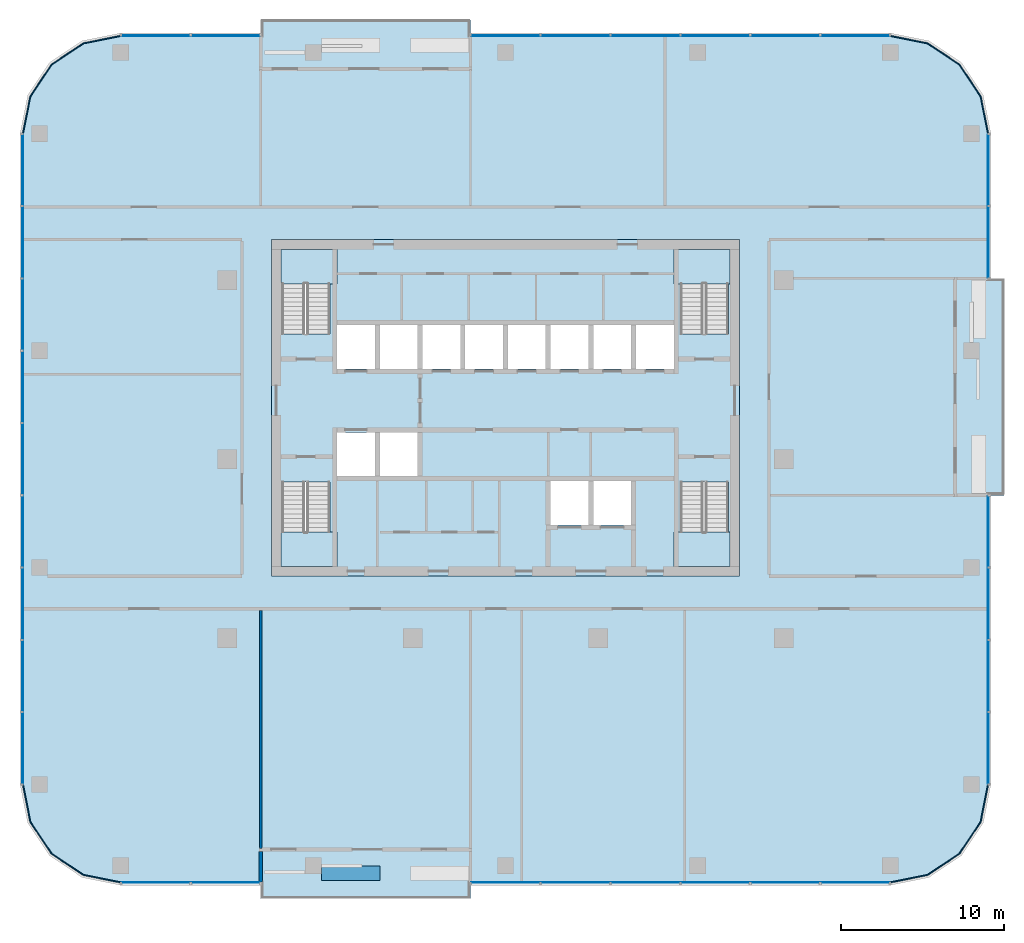
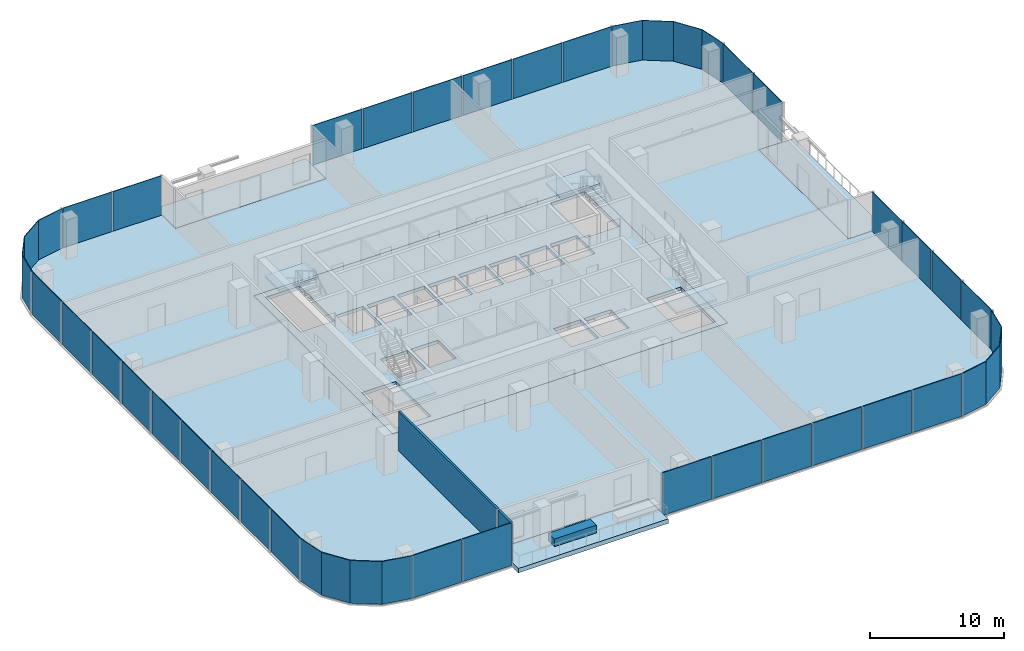
# One storey, part 6 of 13: 35 plates, 9 slabs, 3 walls, 15 elements without a shape of their own.
"""IFC4 building model written with IfcOpenShell, lengths in metres."""

from ifc_helpers import new_model, si_unit, direction, frame, frame_2d, origin, origin_2d, place, context, subcontext, project, spatial, polyline, rectangle, outline, extrude, material, layer, layer_set, type_object, element, aggregate, save


model = new_model("IFC4")

# Units and contexts
model_context = context("Model", 3, precision=1e-05, world=origin(), true_north=direction((0.0, 1.0)))
body_context = subcontext(model_context, "Body", "Model", "MODEL_VIEW")
ifc_project = project(units=[si_unit("LENGTHUNIT", "METRE"), si_unit("AREAUNIT", "SQUARE_METRE"), si_unit("VOLUMEUNIT", "CUBIC_METRE"), si_unit("PLANEANGLEUNIT", "RADIAN"), si_unit("MASSUNIT", "GRAM", prefix="KILO")], contexts=[model_context])

# Site, building, storey
site_placement = place(None, origin())
site = spatial("IfcSite", under=ifc_project, at=site_placement, CompositionType="ELEMENT")
building_placement = place(site_placement, origin())
building = spatial("IfcBuilding", under=site, at=building_placement, Name="Mopane Tessera Tower", CompositionType="ELEMENT")
storey_placement = place(building_placement, frame((0.0, 0.0, 299.39990234375)))
storey = spatial("IfcBuildingStorey", under=building, at=storey_placement, Name="L65", CompositionType="ELEMENT", Elevation=299.39990234375)

# Slab
ifc_material_1 = material(Name="Concrete C40/50", Category="concrete")
ifc_layer_1 = layer(ifc_material_1, 0.300048828125)
ifc_layer_set_1 = layer_set([ifc_layer_1], Name="Concrete C40/50")
slab_type_1 = type_object("IfcSlabType", Name="Core floor slab 300 mm", PredefinedType="FLOOR", material=ifc_layer_set_1)
slab_1_placement = place(storey_placement, frame((0.0, 0.0, -0.2998046875)))
element("IfcSlab", 1, at=slab_1_placement, inside=storey, type_object=slab_type_1, Name="L65 core floor slab", PredefinedType="FLOOR", context=body_context, shape_type="SweptSolid", body=[
    extrude(outline(polyline([(-14.39990234375, -7.199951171875), (14.39990234375, -7.199951171875), (14.39990234375, 13.5), (-14.39990234375, 13.5), (-14.39990234375, -7.199951171875)]), holes=[polyline([(-10.35009765625, -1.050048828125), (-8.02490234375, -1.050048828125), (-8.02490234375, 1.64990234375), (-10.35009765625, 1.64990234375), (-10.35009765625, -1.050048828125)]), polyline([(-7.72509765625, -1.050048828125), (-5.39990234375, -1.050048828125), (-5.39990234375, 1.64990234375), (-7.72509765625, 1.64990234375), (-7.72509765625, -1.050048828125)]), polyline([(-10.35009765625, 5.550048828125), (-8.02490234375, 5.550048828125), (-8.02490234375, 8.25), (-10.35009765625, 8.25), (-10.35009765625, 5.550048828125)]), polyline([(-7.72509765625, 5.550048828125), (-5.39990234375, 5.550048828125), (-5.39990234375, 8.25), (-7.72509765625, 8.25), (-7.72509765625, 5.550048828125)]), polyline([(-5.10009765625, 5.550048828125), (-2.77490234375, 5.550048828125), (-2.77490234375, 8.25), (-5.10009765625, 8.25), (-5.10009765625, 5.550048828125)]), polyline([(-2.47509765625, 5.550048828125), (-0.14990234375, 5.550048828125), (-0.14990234375, 8.25), (-2.47509765625, 8.25), (-2.47509765625, 5.550048828125)]), polyline([(0.14990234375, 5.550048828125), (2.47509765625, 5.550048828125), (2.47509765625, 8.25), (0.14990234375, 8.25), (0.14990234375, 5.550048828125)]), polyline([(2.77490234375, 5.550048828125), (5.10009765625, 5.550048828125), (5.10009765625, 8.25), (2.77490234375, 8.25), (2.77490234375, 5.550048828125)]), polyline([(5.39990234375, 5.550048828125), (7.72509765625, 5.550048828125), (7.72509765625, 8.25), (5.39990234375, 8.25), (5.39990234375, 5.550048828125)]), polyline([(8.02490234375, 5.550048828125), (10.35009765625, 5.550048828125), (10.35009765625, 8.25), (8.02490234375, 8.25), (8.02490234375, 5.550048828125)]), polyline([(2.77490234375, -4.050048828125), (5.10009765625, -4.050048828125), (5.10009765625, -1.35009765625), (2.77490234375, -1.35009765625), (2.77490234375, -4.050048828125)]), polyline([(5.39990234375, -4.050048828125), (7.72509765625, -4.050048828125), (7.72509765625, -1.35009765625), (5.39990234375, -1.35009765625), (5.39990234375, -4.050048828125)]), polyline([(-13.75, -1.405029296875), (-13.75, -6.60009765625), (-10.800048828125, -6.60009765625), (-10.800048828125, -1.405029296875), (-13.75, -1.405029296875)]), polyline([(-10.800048828125, 7.705078125), (-10.800048828125, 12.89990234375), (-13.75, 12.89990234375), (-13.75, 7.705078125), (-10.800048828125, 7.705078125)]), polyline([(10.75, -1.405029296875), (10.75, -6.60009765625), (13.699951171875, -6.60009765625), (13.699951171875, -1.405029296875), (10.75, -1.405029296875)]), polyline([(13.699951171875, 7.705078125), (13.699951171875, 12.89990234375), (10.75, 12.89990234375), (10.75, 7.705078125), (13.699951171875, 7.705078125)])]), origin(), (0.0, 0.0, 1.0), 0.2998046875),
])

# Stair, slab
ifc_material_2 = material(Name="Concrete C50/60", Category="concrete")
stair_type = type_object("IfcStairType", Name="Escape stair 1400 mm, riser 167 mm", PredefinedType="HALF_TURN_STAIR", material=ifc_material_2)
stair_1_placement = place(storey_placement, origin())
stair_1 = element("IfcStair", 2, at=stair_1_placement, inside=storey, type_object=stair_type, Name="L65 Escape stair south-west", PredefinedType="HALF_TURN_STAIR")
ifc_material_3 = material(Name="Concrete C50/60", Category="concrete")
ifc_layer_2 = layer(ifc_material_3, 0.199951171875)
ifc_layer_set_2 = layer_set([ifc_layer_2], Name="Concrete C50/60")
slab_type_2 = type_object("IfcSlabType", Name="Escape stair landing 200 mm", PredefinedType="LANDING", material=ifc_layer_set_2)
slab_2_placement = place(storey_placement, frame((0.0, 0.0, 1.800048828125)))
slab_2 = element("IfcSlab", 3, at=slab_2_placement, type_object=slab_type_2, Name="ST1 landing 1", PredefinedType="LANDING", context=body_context, shape_type="SweptSolid", body=[
    extrude(outline(polyline([(-13.800048828125, -4.47998046875), (-13.800048828125, -6.60009765625), (-10.35009765625, -6.60009765625), (-10.35009765625, -4.47998046875), (-13.800048828125, -4.47998046875)])), origin(), (0.0, 0.0, 1.0), 0.199951171875),
])
aggregate(stair_1, [slab_2])

stair_2_placement = place(storey_placement, origin())
stair_2 = element("IfcStair", 4, at=stair_2_placement, inside=storey, type_object=stair_type, Name="L65 Escape stair north-west", PredefinedType="HALF_TURN_STAIR")
slab_3_placement = place(storey_placement, frame((0.0, 0.0, 1.800048828125)))
slab_3 = element("IfcSlab", 5, at=slab_3_placement, type_object=slab_type_2, Name="ST2 landing 1", PredefinedType="LANDING", context=body_context, shape_type="SweptSolid", body=[
    extrude(outline(polyline([(-10.35009765625, 10.780029296875), (-10.35009765625, 12.89990234375), (-13.800048828125, 12.89990234375), (-13.800048828125, 10.780029296875), (-10.35009765625, 10.780029296875)])), origin(), (0.0, 0.0, 1.0), 0.199951171875),
])
aggregate(stair_2, [slab_3])

stair_3_placement = place(storey_placement, origin())
stair_3 = element("IfcStair", 6, at=stair_3_placement, inside=storey, type_object=stair_type, Name="L65 Escape stair south-east", PredefinedType="HALF_TURN_STAIR")
slab_4_placement = place(storey_placement, frame((0.0, 0.0, 1.800048828125)))
slab_4 = element("IfcSlab", 7, at=slab_4_placement, type_object=slab_type_2, Name="ST3 landing 1", PredefinedType="LANDING", context=body_context, shape_type="SweptSolid", body=[
    extrude(outline(polyline([(10.35009765625, -4.47998046875), (10.35009765625, -6.60009765625), (13.800048828125, -6.60009765625), (13.800048828125, -4.47998046875), (10.35009765625, -4.47998046875)])), origin(), (0.0, 0.0, 1.0), 0.199951171875),
])
aggregate(stair_3, [slab_4])

stair_4_placement = place(storey_placement, origin())
stair_4 = element("IfcStair", 8, at=stair_4_placement, inside=storey, type_object=stair_type, Name="L65 Escape stair north-east", PredefinedType="HALF_TURN_STAIR")
slab_5_placement = place(storey_placement, frame((0.0, 0.0, 1.800048828125)))
slab_5 = element("IfcSlab", 9, at=slab_5_placement, type_object=slab_type_2, Name="ST4 landing 1", PredefinedType="LANDING", context=body_context, shape_type="SweptSolid", body=[
    extrude(outline(polyline([(13.800048828125, 10.780029296875), (13.800048828125, 12.89990234375), (10.35009765625, 12.89990234375), (10.35009765625, 10.780029296875), (13.800048828125, 10.780029296875)])), origin(), (0.0, 0.0, 1.0), 0.199951171875),
])
aggregate(stair_4, [slab_5])

# Slabs
ifc_material_4 = material(Name="Concrete C40/50", Category="concrete")
ifc_layer_3 = layer(ifc_material_4, 0.39990234375)
ifc_layer_set_3 = layer_set([ifc_layer_3], Name="Concrete C40/50")
slab_type_3 = type_object("IfcSlabType", Name="Planted terrace slab 400 mm", PredefinedType="FLOOR", material=ifc_layer_set_3)
slab_6_placement = place(storey_placement, frame((0.0, 0.0, -0.39990234375)))
element("IfcSlab", 10, at=slab_6_placement, inside=storey, type_object=slab_type_3, Name="Terrace slab N1 L65", PredefinedType="FLOOR", context=body_context, shape_type="SweptSolid", body=[
    extrude(outline(polyline([(30.64990234375, 11.111083984375), (27.64990234375, 11.111083984375), (27.64990234375, -2.22216796875), (30.64990234375, -2.22216796875), (30.64990234375, 11.111083984375)])), origin(), (0.0, 0.0, 1.0), 0.39990234375),
])
slab_7_placement = place(storey_placement, frame((0.0, 0.0, -0.39990234375)))
element("IfcSlab", 11, at=slab_7_placement, inside=storey, type_object=slab_type_3, Name="Terrace slab N2 L65", PredefinedType="FLOOR", context=body_context, shape_type="SweptSolid", body=[
    extrude(outline(polyline([(-15.050048828125, 27.0), (-15.050048828125, 24.0), (-2.14990234375, 24.0), (-2.14990234375, 27.0), (-15.050048828125, 27.0)])), origin(), (0.0, 0.0, 1.0), 0.39990234375),
])
slab_8_placement = place(storey_placement, frame((0.0, 0.0, -0.39990234375)))
element("IfcSlab", 12, at=slab_8_placement, inside=storey, type_object=slab_type_3, Name="Terrace slab N3 L65", PredefinedType="FLOOR", context=body_context, shape_type="SweptSolid", body=[
    extrude(outline(polyline([(-2.14990234375, -27.0), (-2.14990234375, -24.0), (-15.050048828125, -24.0), (-15.050048828125, -27.0), (-2.14990234375, -27.0)])), origin(), (0.0, 0.0, 1.0), 0.39990234375),
])
ifc_material_5 = material(Name="Concrete C40/50", Category="concrete")
ifc_layer_4 = layer(ifc_material_5, 0.39990234375)
ifc_layer_set_4 = layer_set([ifc_layer_4], Name="Concrete C40/50")
slab_type_4 = type_object("IfcSlabType", Name="Post-tensioned flat plate 400 mm", PredefinedType="FLOOR", material=ifc_layer_set_4)
slab_9_placement = place(storey_placement, frame((0.0, 0.0, -0.39990234375)))
element("IfcSlab", 13, at=slab_9_placement, inside=storey, type_object=slab_type_4, Name="Floor slab L65", PredefinedType="FLOOR", context=body_context, shape_type="SweptSolid", body=[
    extrude(outline(polyline([(-23.64990234375, -26.0), (-15.050048828125, -26.0), (-15.050048828125, -24.0), (-2.14990234375, -24.0), (-2.14990234375, -26.0), (23.64990234375, -26.0), (25.946044921875, -25.543212890625), (27.892578125, -24.24267578125), (29.193359375, -22.296142578125), (29.64990234375, -20.0), (29.64990234375, -2.22216796875), (27.64990234375, -2.22216796875), (27.64990234375, 11.111083984375), (29.64990234375, 11.111083984375), (29.64990234375, 20.0), (29.193359375, 22.296142578125), (27.892578125, 24.24267578125), (25.946044921875, 25.543212890625), (23.64990234375, 26.0), (-2.14990234375, 26.0), (-2.14990234375, 24.0), (-15.050048828125, 24.0), (-15.050048828125, 26.0), (-23.64990234375, 26.0), (-25.946044921875, 25.543212890625), (-27.892578125, 24.24267578125), (-29.193359375, 22.296142578125), (-29.64990234375, 20.0), (-29.64990234375, -20.0), (-29.193359375, -22.296142578125), (-27.892578125, -24.24267578125), (-25.946044921875, -25.543212890625), (-23.64990234375, -26.0)]), holes=[polyline([(14.39990234375, -7.199951171875), (-14.39990234375, -7.199951171875), (-14.39990234375, 13.5), (14.39990234375, 13.5), (14.39990234375, -7.199951171875)])]), origin(), (0.0, 0.0, 1.0), 0.39990234375),
])

# Curtain wall, plates
ifc_material_6 = material(Name="Aluminium frame", Category="aluminium")
curtain_wall_type = type_object("IfcCurtainWallType", Name="Unitised curtain wall", PredefinedType="NOTDEFINED", material=ifc_material_6)
curtain_wall_1_placement = place(storey_placement, origin())
curtain_wall_1 = element("IfcCurtainWall", 14, at=curtain_wall_1_placement, inside=storey, type_object=curtain_wall_type, Name="e:cw:L65:S:0", PredefinedType="NOTDEFINED")
ifc_material_7 = material(Name="Clear laminated glass", Category="glass")
ifc_layer_5 = layer(ifc_material_7, 0.06005859375)
ifc_layer_set_5 = layer_set([ifc_layer_5], Name="Clear laminated glass")
plate_type = type_object("IfcPlateType", Name="Unitised glazed unit", PredefinedType="CURTAIN_PANEL", material=ifc_layer_set_5)
plate_1_placement = place(storey_placement, frame((-21.5, -26.030029296875, -0.27978515625), z_axis=(0.0, 0.0, 1.0), x_axis=(1.0, 0.0, 0.0)))
plate_1 = element("IfcPlate", 15, at=plate_1_placement, type_object=plate_type, Name="e:cw:L65:S:0:pn0", PredefinedType="CURTAIN_PANEL", context=body_context, shape_type="SweptSolid", body=[
    extrude(rectangle(XDim=4.199951171875, YDim=0.06005859375, at=origin_2d()), origin(), (0.0, 0.0, 1.0), 3.8798828125),
])
plate_2_placement = place(storey_placement, frame((-17.199951171875, -26.030029296875, -0.27978515625), z_axis=(0.0, 0.0, 1.0), x_axis=(1.0, 0.0, 0.0)))
plate_2 = element("IfcPlate", 16, at=plate_2_placement, type_object=plate_type, Name="e:cw:L65:S:0:pn1", PredefinedType="CURTAIN_PANEL", context=body_context, shape_type="SweptSolid", body=[
    extrude(rectangle(XDim=4.199951171875, YDim=0.06005859375, at=origin_2d()), origin(), (0.0, 0.0, 1.0), 3.8798828125),
])
aggregate(curtain_wall_1, [plate_1, plate_2])

curtain_wall_2_placement = place(storey_placement, origin())
curtain_wall_2 = element("IfcCurtainWall", 17, at=curtain_wall_2_placement, inside=storey, type_object=curtain_wall_type, Name="e:cw:L65:S:5", PredefinedType="NOTDEFINED")
plate_3_placement = place(storey_placement, frame((0.0, -26.030029296875, -0.27978515625), z_axis=(0.0, 0.0, 1.0), x_axis=(1.0, 0.0, 0.0)))
plate_3 = element("IfcPlate", 18, at=plate_3_placement, type_object=plate_type, Name="e:cw:L65:S:5:pn5", PredefinedType="CURTAIN_PANEL", context=body_context, shape_type="SweptSolid", body=[
    extrude(rectangle(XDim=4.199951171875, YDim=0.06005859375, at=origin_2d()), origin(), (0.0, 0.0, 1.0), 3.8798828125),
])
plate_4_placement = place(storey_placement, frame((4.300048828125, -26.030029296875, -0.27978515625), z_axis=(0.0, 0.0, 1.0), x_axis=(1.0, 0.0, 0.0)))
plate_4 = element("IfcPlate", 19, at=plate_4_placement, type_object=plate_type, Name="e:cw:L65:S:5:pn6", PredefinedType="CURTAIN_PANEL", context=body_context, shape_type="SweptSolid", body=[
    extrude(rectangle(XDim=4.199951171875, YDim=0.06005859375, at=origin_2d()), origin(), (0.0, 0.0, 1.0), 3.8798828125),
])
plate_5_placement = place(storey_placement, frame((8.60009765625, -26.030029296875, -0.27978515625), z_axis=(0.0, 0.0, 1.0), x_axis=(1.0, 0.0, 0.0)))
plate_5 = element("IfcPlate", 20, at=plate_5_placement, type_object=plate_type, Name="e:cw:L65:S:5:pn7", PredefinedType="CURTAIN_PANEL", context=body_context, shape_type="SweptSolid", body=[
    extrude(rectangle(XDim=4.199951171875, YDim=0.06005859375, at=origin_2d()), origin(), (0.0, 0.0, 1.0), 3.8798828125),
])
plate_6_placement = place(storey_placement, frame((12.89990234375, -26.030029296875, -0.27978515625), z_axis=(0.0, 0.0, 1.0), x_axis=(1.0, 0.0, 0.0)))
plate_6 = element("IfcPlate", 21, at=plate_6_placement, type_object=plate_type, Name="e:cw:L65:S:5:pn8", PredefinedType="CURTAIN_PANEL", context=body_context, shape_type="SweptSolid", body=[
    extrude(rectangle(XDim=4.199951171875, YDim=0.06005859375, at=origin_2d()), origin(), (0.0, 0.0, 1.0), 3.8798828125),
])
plate_7_placement = place(storey_placement, frame((17.199951171875, -26.030029296875, -0.27978515625), z_axis=(0.0, 0.0, 1.0), x_axis=(1.0, 0.0, 0.0)))
plate_7 = element("IfcPlate", 22, at=plate_7_placement, type_object=plate_type, Name="e:cw:L65:S:5:pn9", PredefinedType="CURTAIN_PANEL", context=body_context, shape_type="SweptSolid", body=[
    extrude(rectangle(XDim=4.199951171875, YDim=0.06005859375, at=origin_2d()), origin(), (0.0, 0.0, 1.0), 3.8798828125),
])
plate_8_placement = place(storey_placement, frame((21.5, -26.030029296875, -0.27978515625), z_axis=(0.0, 0.0, 1.0), x_axis=(1.0, 0.0, 0.0)))
plate_8 = element("IfcPlate", 23, at=plate_8_placement, type_object=plate_type, Name="e:cw:L65:S:5:pn10", PredefinedType="CURTAIN_PANEL", context=body_context, shape_type="SweptSolid", body=[
    extrude(rectangle(XDim=4.199951171875, YDim=0.06005859375, at=origin_2d()), origin(), (0.0, 0.0, 1.0), 3.8798828125),
])
aggregate(curtain_wall_2, [plate_3, plate_4, plate_5, plate_6, plate_7, plate_8])

# Curtain wall, plate
curtain_wall_3_placement = place(storey_placement, origin())
curtain_wall_3 = element("IfcCurtainWall", 24, at=curtain_wall_3_placement, inside=storey, type_object=curtain_wall_type, Name="e:cw:L65:CS", PredefinedType="NOTDEFINED")
plate_9_placement = place(storey_placement, frame((0.0, 0.0, -0.27978515625)))
plate_9 = element("IfcPlate", 25, at=plate_9_placement, type_object=plate_type, Name="e:cw:L65:CS:pn", PredefinedType="CURTAIN_PANEL", context=body_context, shape_type="SweptSolid", body=[
    extrude(outline(polyline([(23.64990234375, -26.0), (25.946044921875, -25.543212890625), (27.892578125, -24.24267578125), (29.193359375, -22.296142578125), (29.64990234375, -20.0), (29.7099609375, -20.0), (29.248779296875, -22.319091796875), (27.93505859375, -24.28515625), (25.968994140625, -25.5986328125), (23.64990234375, -26.06005859375), (23.64990234375, -26.0)])), origin(), (0.0, 0.0, 1.0), 3.8798828125),
])
aggregate(curtain_wall_3, [plate_9])

# Curtain wall, plates
curtain_wall_4_placement = place(storey_placement, origin())
curtain_wall_4 = element("IfcCurtainWall", 26, at=curtain_wall_4_placement, inside=storey, type_object=curtain_wall_type, Name="e:cw:L65:E:0", PredefinedType="NOTDEFINED")
plate_10_placement = place(storey_placement, frame((29.679931640625, -17.77783203125, -0.27978515625), z_axis=(0.0, 0.0, 1.0), x_axis=(0.0, 1.0, 0.0)))
plate_10 = element("IfcPlate", 27, at=plate_10_placement, type_object=plate_type, Name="e:cw:L65:E:0:pn0", PredefinedType="CURTAIN_PANEL", context=body_context, shape_type="SweptSolid", body=[
    extrude(rectangle(XDim=4.344482421875, YDim=0.06005859375, at=origin_2d()), origin(), (0.0, 0.0, 1.0), 3.8798828125),
])
plate_11_placement = place(storey_placement, frame((29.679931640625, -13.333251953125, -0.27978515625), z_axis=(0.0, 0.0, 1.0), x_axis=(0.0, 1.0, 0.0)))
plate_11 = element("IfcPlate", 28, at=plate_11_placement, type_object=plate_type, Name="e:cw:L65:E:0:pn1", PredefinedType="CURTAIN_PANEL", context=body_context, shape_type="SweptSolid", body=[
    extrude(rectangle(XDim=4.344482421875, YDim=0.06005859375, at=origin_2d()), origin(), (0.0, 0.0, 1.0), 3.8798828125),
])
plate_12_placement = place(storey_placement, frame((29.679931640625, -8.888916015625, -0.27978515625), z_axis=(0.0, 0.0, 1.0), x_axis=(0.0, 1.0, 0.0)))
plate_12 = element("IfcPlate", 29, at=plate_12_placement, type_object=plate_type, Name="e:cw:L65:E:0:pn2", PredefinedType="CURTAIN_PANEL", context=body_context, shape_type="SweptSolid", body=[
    extrude(rectangle(XDim=4.344482421875, YDim=0.06005859375, at=origin_2d()), origin(), (0.0, 0.0, 1.0), 3.8798828125),
])
plate_13_placement = place(storey_placement, frame((29.679931640625, -4.4443359375, -0.27978515625), z_axis=(0.0, 0.0, 1.0), x_axis=(0.0, 1.0, 0.0)))
plate_13 = element("IfcPlate", 30, at=plate_13_placement, type_object=plate_type, Name="e:cw:L65:E:0:pn3", PredefinedType="CURTAIN_PANEL", context=body_context, shape_type="SweptSolid", body=[
    extrude(rectangle(XDim=4.344482421875, YDim=0.06005859375, at=origin_2d()), origin(), (0.0, 0.0, 1.0), 3.8798828125),
])
aggregate(curtain_wall_4, [plate_10, plate_11, plate_12, plate_13])

curtain_wall_5_placement = place(storey_placement, origin())
curtain_wall_5 = element("IfcCurtainWall", 31, at=curtain_wall_5_placement, inside=storey, type_object=curtain_wall_type, Name="e:cw:L65:E:7", PredefinedType="NOTDEFINED")
plate_14_placement = place(storey_placement, frame((29.679931640625, 13.333251953125, -0.27978515625), z_axis=(0.0, 0.0, 1.0), x_axis=(0.0, 1.0, 0.0)))
plate_14 = element("IfcPlate", 32, at=plate_14_placement, type_object=plate_type, Name="e:cw:L65:E:7:pn7", PredefinedType="CURTAIN_PANEL", context=body_context, shape_type="SweptSolid", body=[
    extrude(rectangle(XDim=4.344482421875, YDim=0.06005859375, at=origin_2d()), origin(), (0.0, 0.0, 1.0), 3.8798828125),
])
plate_15_placement = place(storey_placement, frame((29.679931640625, 17.77783203125, -0.27978515625), z_axis=(0.0, 0.0, 1.0), x_axis=(0.0, 1.0, 0.0)))
plate_15 = element("IfcPlate", 33, at=plate_15_placement, type_object=plate_type, Name="e:cw:L65:E:7:pn8", PredefinedType="CURTAIN_PANEL", context=body_context, shape_type="SweptSolid", body=[
    extrude(rectangle(XDim=4.344482421875, YDim=0.06005859375, at=origin_2d()), origin(), (0.0, 0.0, 1.0), 3.8798828125),
])
aggregate(curtain_wall_5, [plate_14, plate_15])

# Curtain wall, plate
curtain_wall_6_placement = place(storey_placement, origin())
curtain_wall_6 = element("IfcCurtainWall", 34, at=curtain_wall_6_placement, inside=storey, type_object=curtain_wall_type, Name="e:cw:L65:CE", PredefinedType="NOTDEFINED")
plate_16_placement = place(storey_placement, frame((0.0, 0.0, -0.27978515625)))
plate_16 = element("IfcPlate", 35, at=plate_16_placement, type_object=plate_type, Name="e:cw:L65:CE:pn", PredefinedType="CURTAIN_PANEL", context=body_context, shape_type="SweptSolid", body=[
    extrude(outline(polyline([(29.64990234375, 20.0), (29.193359375, 22.296142578125), (27.892578125, 24.24267578125), (25.946044921875, 25.543212890625), (23.64990234375, 26.0), (23.64990234375, 26.06005859375), (25.968994140625, 25.5986328125), (27.93505859375, 24.28515625), (29.248779296875, 22.319091796875), (29.7099609375, 20.0), (29.64990234375, 20.0)])), origin(), (0.0, 0.0, 1.0), 3.8798828125),
])
aggregate(curtain_wall_6, [plate_16])

# Curtain wall, plates
curtain_wall_7_placement = place(storey_placement, origin())
curtain_wall_7 = element("IfcCurtainWall", 36, at=curtain_wall_7_placement, inside=storey, type_object=curtain_wall_type, Name="e:cw:L65:N:0", PredefinedType="NOTDEFINED")
plate_17_placement = place(storey_placement, frame((21.5, 26.030029296875, -0.27978515625), z_axis=(0.0, 0.0, 1.0), x_axis=(-1.0, 0.0, 0.0)))
plate_17 = element("IfcPlate", 37, at=plate_17_placement, type_object=plate_type, Name="e:cw:L65:N:0:pn0", PredefinedType="CURTAIN_PANEL", context=body_context, shape_type="SweptSolid", body=[
    extrude(rectangle(XDim=4.199951171875, YDim=0.06005859375, at=origin_2d()), origin(), (0.0, 0.0, 1.0), 3.8798828125),
])
plate_18_placement = place(storey_placement, frame((17.199951171875, 26.030029296875, -0.27978515625), z_axis=(0.0, 0.0, 1.0), x_axis=(-1.0, 0.0, 0.0)))
plate_18 = element("IfcPlate", 38, at=plate_18_placement, type_object=plate_type, Name="e:cw:L65:N:0:pn1", PredefinedType="CURTAIN_PANEL", context=body_context, shape_type="SweptSolid", body=[
    extrude(rectangle(XDim=4.199951171875, YDim=0.06005859375, at=origin_2d()), origin(), (0.0, 0.0, 1.0), 3.8798828125),
])
plate_19_placement = place(storey_placement, frame((12.89990234375, 26.030029296875, -0.27978515625), z_axis=(0.0, 0.0, 1.0), x_axis=(-1.0, 0.0, 0.0)))
plate_19 = element("IfcPlate", 39, at=plate_19_placement, type_object=plate_type, Name="e:cw:L65:N:0:pn2", PredefinedType="CURTAIN_PANEL", context=body_context, shape_type="SweptSolid", body=[
    extrude(rectangle(XDim=4.199951171875, YDim=0.06005859375, at=origin_2d()), origin(), (0.0, 0.0, 1.0), 3.8798828125),
])
plate_20_placement = place(storey_placement, frame((8.60009765625, 26.030029296875, -0.27978515625), z_axis=(0.0, 0.0, 1.0), x_axis=(-1.0, 0.0, 0.0)))
plate_20 = element("IfcPlate", 40, at=plate_20_placement, type_object=plate_type, Name="e:cw:L65:N:0:pn3", PredefinedType="CURTAIN_PANEL", context=body_context, shape_type="SweptSolid", body=[
    extrude(rectangle(XDim=4.199951171875, YDim=0.06005859375, at=origin_2d()), origin(), (0.0, 0.0, 1.0), 3.8798828125),
])
plate_21_placement = place(storey_placement, frame((4.300048828125, 26.030029296875, -0.27978515625), z_axis=(0.0, 0.0, 1.0), x_axis=(-1.0, 0.0, 0.0)))
plate_21 = element("IfcPlate", 41, at=plate_21_placement, type_object=plate_type, Name="e:cw:L65:N:0:pn4", PredefinedType="CURTAIN_PANEL", context=body_context, shape_type="SweptSolid", body=[
    extrude(rectangle(XDim=4.199951171875, YDim=0.06005859375, at=origin_2d()), origin(), (0.0, 0.0, 1.0), 3.8798828125),
])
plate_22_placement = place(storey_placement, frame((0.0, 26.030029296875, -0.27978515625), z_axis=(0.0, 0.0, 1.0), x_axis=(-1.0, 0.0, 0.0)))
plate_22 = element("IfcPlate", 42, at=plate_22_placement, type_object=plate_type, Name="e:cw:L65:N:0:pn5", PredefinedType="CURTAIN_PANEL", context=body_context, shape_type="SweptSolid", body=[
    extrude(rectangle(XDim=4.199951171875, YDim=0.06005859375, at=origin_2d()), origin(), (0.0, 0.0, 1.0), 3.8798828125),
])
aggregate(curtain_wall_7, [plate_17, plate_18, plate_19, plate_20, plate_21, plate_22])

curtain_wall_8_placement = place(storey_placement, origin())
curtain_wall_8 = element("IfcCurtainWall", 43, at=curtain_wall_8_placement, inside=storey, type_object=curtain_wall_type, Name="e:cw:L65:N:9", PredefinedType="NOTDEFINED")
plate_23_placement = place(storey_placement, frame((-17.199951171875, 26.030029296875, -0.27978515625), z_axis=(0.0, 0.0, 1.0), x_axis=(-1.0, 0.0, 0.0)))
plate_23 = element("IfcPlate", 44, at=plate_23_placement, type_object=plate_type, Name="e:cw:L65:N:9:pn9", PredefinedType="CURTAIN_PANEL", context=body_context, shape_type="SweptSolid", body=[
    extrude(rectangle(XDim=4.199951171875, YDim=0.06005859375, at=origin_2d()), origin(), (0.0, 0.0, 1.0), 3.8798828125),
])
plate_24_placement = place(storey_placement, frame((-21.5, 26.030029296875, -0.27978515625), z_axis=(0.0, 0.0, 1.0), x_axis=(-1.0, 0.0, 0.0)))
plate_24 = element("IfcPlate", 45, at=plate_24_placement, type_object=plate_type, Name="e:cw:L65:N:9:pn10", PredefinedType="CURTAIN_PANEL", context=body_context, shape_type="SweptSolid", body=[
    extrude(rectangle(XDim=4.199951171875, YDim=0.06005859375, at=origin_2d()), origin(), (0.0, 0.0, 1.0), 3.8798828125),
])
aggregate(curtain_wall_8, [plate_23, plate_24])

# Curtain wall, plate
curtain_wall_9_placement = place(storey_placement, origin())
curtain_wall_9 = element("IfcCurtainWall", 46, at=curtain_wall_9_placement, inside=storey, type_object=curtain_wall_type, Name="e:cw:L65:CN", PredefinedType="NOTDEFINED")
plate_25_placement = place(storey_placement, frame((0.0, 0.0, -0.27978515625)))
plate_25 = element("IfcPlate", 47, at=plate_25_placement, type_object=plate_type, Name="e:cw:L65:CN:pn", PredefinedType="CURTAIN_PANEL", context=body_context, shape_type="SweptSolid", body=[
    extrude(outline(polyline([(-23.64990234375, 26.0), (-25.946044921875, 25.543212890625), (-27.892578125, 24.24267578125), (-29.193359375, 22.296142578125), (-29.64990234375, 20.0), (-29.7099609375, 20.0), (-29.248779296875, 22.319091796875), (-27.93505859375, 24.28515625), (-25.968994140625, 25.5986328125), (-23.64990234375, 26.06005859375), (-23.64990234375, 26.0)])), origin(), (0.0, 0.0, 1.0), 3.8798828125),
])
aggregate(curtain_wall_9, [plate_25])

# Curtain wall, plates
curtain_wall_10_placement = place(storey_placement, origin())
curtain_wall_10 = element("IfcCurtainWall", 48, at=curtain_wall_10_placement, inside=storey, type_object=curtain_wall_type, Name="e:cw:L65:W:0", PredefinedType="NOTDEFINED")
plate_26_placement = place(storey_placement, frame((-29.679931640625, 17.77783203125, -0.27978515625), z_axis=(0.0, 0.0, 1.0), x_axis=(0.0, -1.0, 0.0)))
plate_26 = element("IfcPlate", 49, at=plate_26_placement, type_object=plate_type, Name="e:cw:L65:W:0:pn0", PredefinedType="CURTAIN_PANEL", context=body_context, shape_type="SweptSolid", body=[
    extrude(rectangle(XDim=4.344482421875, YDim=0.06005859375, at=origin_2d()), origin(), (0.0, 0.0, 1.0), 3.8798828125),
])
plate_27_placement = place(storey_placement, frame((-29.679931640625, 13.333251953125, -0.27978515625), z_axis=(0.0, 0.0, 1.0), x_axis=(0.0, -1.0, 0.0)))
plate_27 = element("IfcPlate", 50, at=plate_27_placement, type_object=plate_type, Name="e:cw:L65:W:0:pn1", PredefinedType="CURTAIN_PANEL", context=body_context, shape_type="SweptSolid", body=[
    extrude(rectangle(XDim=4.344482421875, YDim=0.06005859375, at=origin_2d()), origin(), (0.0, 0.0, 1.0), 3.8798828125),
])
plate_28_placement = place(storey_placement, frame((-29.679931640625, 8.888916015625, -0.27978515625), z_axis=(0.0, 0.0, 1.0), x_axis=(0.0, -1.0, 0.0)))
plate_28 = element("IfcPlate", 51, at=plate_28_placement, type_object=plate_type, Name="e:cw:L65:W:0:pn2", PredefinedType="CURTAIN_PANEL", context=body_context, shape_type="SweptSolid", body=[
    extrude(rectangle(XDim=4.344482421875, YDim=0.06005859375, at=origin_2d()), origin(), (0.0, 0.0, 1.0), 3.8798828125),
])
plate_29_placement = place(storey_placement, frame((-29.679931640625, 4.4443359375, -0.27978515625), z_axis=(0.0, 0.0, 1.0), x_axis=(0.0, -1.0, 0.0)))
plate_29 = element("IfcPlate", 52, at=plate_29_placement, type_object=plate_type, Name="e:cw:L65:W:0:pn3", PredefinedType="CURTAIN_PANEL", context=body_context, shape_type="SweptSolid", body=[
    extrude(rectangle(XDim=4.344482421875, YDim=0.06005859375, at=origin_2d()), origin(), (0.0, 0.0, 1.0), 3.8798828125),
])
plate_30_placement = place(storey_placement, frame((-29.679931640625, 0.0, -0.27978515625), z_axis=(0.0, 0.0, 1.0), x_axis=(0.0, -1.0, 0.0)))
plate_30 = element("IfcPlate", 53, at=plate_30_placement, type_object=plate_type, Name="e:cw:L65:W:0:pn4", PredefinedType="CURTAIN_PANEL", context=body_context, shape_type="SweptSolid", body=[
    extrude(rectangle(XDim=4.344482421875, YDim=0.06005859375, at=origin_2d()), origin(), (0.0, 0.0, 1.0), 3.8798828125),
])
plate_31_placement = place(storey_placement, frame((-29.679931640625, -4.4443359375, -0.27978515625), z_axis=(0.0, 0.0, 1.0), x_axis=(0.0, -1.0, 0.0)))
plate_31 = element("IfcPlate", 54, at=plate_31_placement, type_object=plate_type, Name="e:cw:L65:W:0:pn5", PredefinedType="CURTAIN_PANEL", context=body_context, shape_type="SweptSolid", body=[
    extrude(rectangle(XDim=4.344482421875, YDim=0.06005859375, at=origin_2d()), origin(), (0.0, 0.0, 1.0), 3.8798828125),
])
plate_32_placement = place(storey_placement, frame((-29.679931640625, -8.888916015625, -0.27978515625), z_axis=(0.0, 0.0, 1.0), x_axis=(0.0, -1.0, 0.0)))
plate_32 = element("IfcPlate", 55, at=plate_32_placement, type_object=plate_type, Name="e:cw:L65:W:0:pn6", PredefinedType="CURTAIN_PANEL", context=body_context, shape_type="SweptSolid", body=[
    extrude(rectangle(XDim=4.344482421875, YDim=0.06005859375, at=origin_2d()), origin(), (0.0, 0.0, 1.0), 3.8798828125),
])
plate_33_placement = place(storey_placement, frame((-29.679931640625, -13.333251953125, -0.27978515625), z_axis=(0.0, 0.0, 1.0), x_axis=(0.0, -1.0, 0.0)))
plate_33 = element("IfcPlate", 56, at=plate_33_placement, type_object=plate_type, Name="e:cw:L65:W:0:pn7", PredefinedType="CURTAIN_PANEL", context=body_context, shape_type="SweptSolid", body=[
    extrude(rectangle(XDim=4.344482421875, YDim=0.06005859375, at=origin_2d()), origin(), (0.0, 0.0, 1.0), 3.8798828125),
])
plate_34_placement = place(storey_placement, frame((-29.679931640625, -17.77783203125, -0.27978515625), z_axis=(0.0, 0.0, 1.0), x_axis=(0.0, -1.0, 0.0)))
plate_34 = element("IfcPlate", 57, at=plate_34_placement, type_object=plate_type, Name="e:cw:L65:W:0:pn8", PredefinedType="CURTAIN_PANEL", context=body_context, shape_type="SweptSolid", body=[
    extrude(rectangle(XDim=4.344482421875, YDim=0.06005859375, at=origin_2d()), origin(), (0.0, 0.0, 1.0), 3.8798828125),
])
aggregate(curtain_wall_10, [plate_26, plate_27, plate_28, plate_29, plate_30, plate_31, plate_32, plate_33, plate_34])

# Curtain wall, plate
curtain_wall_11_placement = place(storey_placement, origin())
curtain_wall_11 = element("IfcCurtainWall", 58, at=curtain_wall_11_placement, inside=storey, type_object=curtain_wall_type, Name="e:cw:L65:CW", PredefinedType="NOTDEFINED")
plate_35_placement = place(storey_placement, frame((0.0, 0.0, -0.27978515625)))
plate_35 = element("IfcPlate", 59, at=plate_35_placement, type_object=plate_type, Name="e:cw:L65:CW:pn", PredefinedType="CURTAIN_PANEL", context=body_context, shape_type="SweptSolid", body=[
    extrude(outline(polyline([(-29.64990234375, -20.0), (-29.193359375, -22.296142578125), (-27.892578125, -24.24267578125), (-25.946044921875, -25.543212890625), (-23.64990234375, -26.0), (-23.64990234375, -26.06005859375), (-25.968994140625, -25.5986328125), (-27.93505859375, -24.28515625), (-29.248779296875, -22.319091796875), (-29.7099609375, -20.0), (-29.64990234375, -20.0)])), origin(), (0.0, 0.0, 1.0), 3.8798828125),
])
aggregate(curtain_wall_11, [plate_35])

# Walls
ifc_material_8 = material(Name="Gypsum board on staggered steel studs, double layer each face, acoustic mineral wool infill", Category="steel")
ifc_layer_6 = layer(ifc_material_8, 0.175048828125)
ifc_layer_set_6 = layer_set([ifc_layer_6], Name="Gypsum board on staggered steel studs, double layer each face, acoustic mineral wool infill")
wall_type_1 = type_object("IfcWallType", Name="Gypsum board acoustic partition 175, rated EI 60", PredefinedType="PARTITIONING", material=ifc_layer_set_6)
wall_1_placement = place(storey_placement, frame((-15.050048828125, -23.949951171875, 0.0), z_axis=(0.0, 0.0, 1.0), x_axis=(0.0, 1.0, 0.0)))
element("IfcWall", 60, at=wall_1_placement, inside=storey, type_object=wall_type_1, Name="Partition L65:011", PredefinedType="PARTITIONING", context=body_context, shape_type="SweptSolid", body=[
    extrude(rectangle(XDim=14.64990234375, YDim=0.175048828125, at=frame_2d((7.324951171875, 0.0))), origin(), (0.0, 0.0, 1.0), 3.60009765625),
])
ifc_material_9 = material(Name="Reinforced concrete C32/40 with waterproofing", Category="concrete")
ifc_layer_7 = layer(ifc_material_9, 0.89990234375)
ifc_layer_set_7 = layer_set([ifc_layer_7], Name="Reinforced concrete C32/40 with waterproofing")
wall_type_2 = type_object("IfcWallType", Name="Planter trough 3600 x 900", PredefinedType="STANDARD", material=ifc_layer_set_7)
wall_2_placement = place(storey_placement, frame((-11.304931640625, -25.449951171875, 0.0), z_axis=(0.0, 0.0, 1.0), x_axis=(1.0, 0.0, 0.0)))
element("IfcWall", 61, at=wall_2_placement, inside=storey, type_object=wall_type_2, Name="e:nw:L65:N3:pl0", PredefinedType="STANDARD", context=body_context, shape_type="SweptSolid", body=[
    extrude(rectangle(XDim=3.60009765625, YDim=0.89990234375, at=frame_2d((1.800048828125, 0.0))), origin(), (0.0, 0.0, 1.0), 0.7001953125),
])
ifc_material_10 = material(Name="Blockwork with glazed tile facing", Category="masonry")
ifc_layer_8 = layer(ifc_material_10, 0.199951171875)
ifc_layer_set_8 = layer_set([ifc_layer_8], Name="Blockwork with glazed tile facing")
wall_type_3 = type_object("IfcWallType", Name="Terrace cheek wall 200", PredefinedType="STANDARD", material=ifc_layer_set_8)
wall_3_placement = place(storey_placement, frame((-15.050048828125, -26.0, 0.0), z_axis=(0.0, 0.0, 1.0), x_axis=(0.0, 1.0, 0.0)))
element("IfcWall", 62, at=wall_3_placement, inside=storey, type_object=wall_type_3, Name="e:nw:L65:N3:cheeka", PredefinedType="STANDARD", context=body_context, shape_type="SweptSolid", body=[
    extrude(rectangle(XDim=1.875, YDim=0.199951171875, at=frame_2d((0.9375, 0.0))), origin(), (0.0, 0.0, 1.0), 3.60009765625),
])

save(model, "model.ifc")
